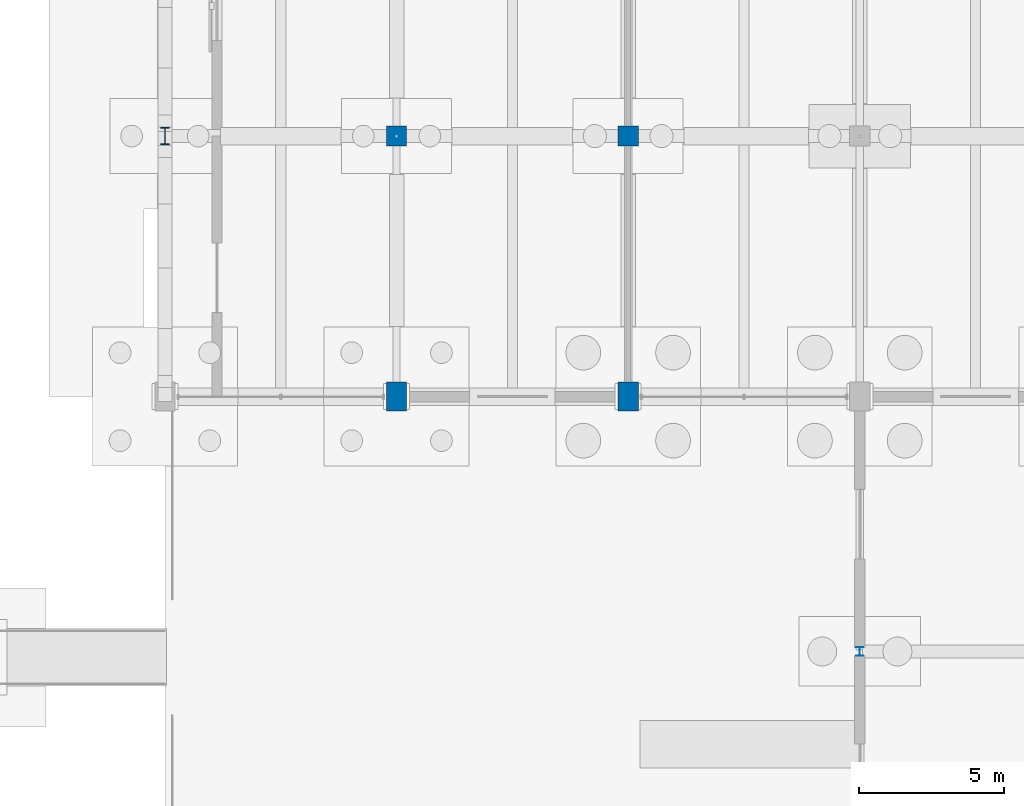
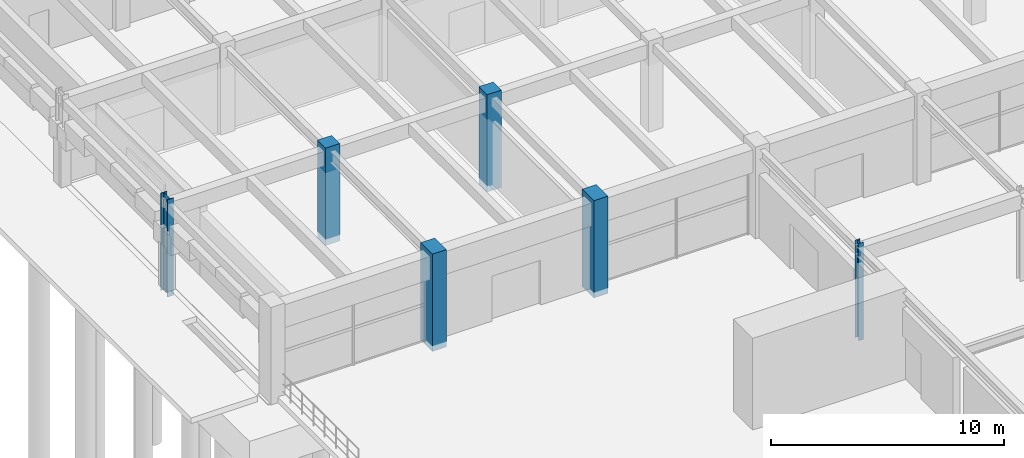
# One storey, part 14 of 147: 6 columns.
"""IFC4 building model written with IfcOpenShell, lengths in metres."""

from ifc_helpers import new_model, si_unit, direction, frame, origin, origin_2d, place, context, subcontext, project, spatial, rectangle, i_section, extrude, material, material_profile, profile_set, type_object, element, save


model = new_model("IFC4")

# Units and contexts
model_context = context("Model", 3, precision=1e-05, world=origin(), true_north=direction((0.0, 1.0)))
body_context = subcontext(model_context, "Body", "Model", "MODEL_VIEW")
ifc_project = project(units=[si_unit("LENGTHUNIT", "METRE"), si_unit("AREAUNIT", "SQUARE_METRE"), si_unit("VOLUMEUNIT", "CUBIC_METRE"), si_unit("PLANEANGLEUNIT", "RADIAN"), si_unit("MASSUNIT", "GRAM", prefix="KILO")], contexts=[model_context])

# Site, building, storey
site_placement = place(None, origin())
site = spatial("IfcSite", under=ifc_project, at=site_placement, CompositionType="ELEMENT")
building_placement = place(site_placement, origin())
building = spatial("IfcBuilding", under=site, at=building_placement, Name="Varnabhumi Central Station", CompositionType="ELEMENT")
storey_placement = place(building_placement, origin())
storey = spatial("IfcBuildingStorey", under=building, at=storey_placement, Name="L00", CompositionType="ELEMENT", Elevation=0.0)

# Columns
ifc_material_1 = material(Name="Structural steel E350", Category="steel")
ifc_material_profile_1 = material_profile(ifc_material_1, i_section(OverallWidth=0.25, OverallDepth=0.300048828125, WebThickness=0.009521484375, FlangeThickness=0.010498046875, FilletRadius=0.010986328125, at=origin_2d()), Name="Structural steel E350", Category="steel")
ifc_profile_set_1 = profile_set([ifc_material_profile_1], Name="Structural steel E350")
column_type_1 = type_object("IfcColumnType", Name="COL-GALLERY-ISHB300", PredefinedType="COLUMN", material=ifc_profile_set_1)
column_1_placement = place(storey_placement, frame((24.0, 71.199951171875, -0.300048828125), z_axis=(0.0, 0.0, 1.0), x_axis=(1.0, 0.0, 0.0)))
element("IfcColumn", 1, at=column_1_placement, inside=storey, type_object=column_type_1, Name="Gallery Column L00-4J", PredefinedType="COLUMN", context=body_context, shape_type="SweptSolid", body=[
    extrude(i_section(OverallWidth=0.25, OverallDepth=0.300048828125, WebThickness=0.009521484375, FlangeThickness=0.010498046875, FilletRadius=0.010986328125, at=origin_2d()), origin(), (0.0, 0.0, 1.0), 5.10009765625),
])
ifc_material_2 = material(Name="Concrete M40", Category="concrete")
ifc_material_profile_2 = material_profile(ifc_material_2, rectangle(XDim=0.699951171875, YDim=0.699951171875, at=origin_2d()), Name="Concrete M40", Category="concrete")
ifc_profile_set_2 = profile_set([ifc_material_profile_2], Name="Concrete M40")
column_type_2 = type_object("IfcColumnType", Name="COL-NORTH-700", PredefinedType="COLUMN", material=ifc_profile_set_2)
for number, where, z_axis, x_axis, name in (
    (2, (8.0, 89.0, -0.300048828125), (0.0, 0.0, 1.0), (1.0, 0.0, 0.0), "Column L00-2L"),
    (3, (16.0, 89.0, -0.300048828125), (0.0, 0.0, 1.0), (1.0, 0.0, 0.0), "Column L00-3L"),
):
    element("IfcColumn", number, at=place(storey_placement, frame(where, z_axis=z_axis, x_axis=x_axis)), inside=storey, type_object=column_type_2, Name=name, PredefinedType="COLUMN", context=body_context, shape_type="SweptSolid", body=[
        extrude(rectangle(XDim=0.699951171875, YDim=0.699951171875, at=origin_2d()), origin(), (0.0, 0.0, 1.0), 5.10009765625),
    ])
ifc_material_3 = material(Name="Concrete M50", Category="concrete")
ifc_material_profile_3 = material_profile(ifc_material_3, rectangle(XDim=0.699951171875, YDim=1.0, at=origin_2d()), Name="Concrete M50", Category="concrete")
ifc_profile_set_3 = profile_set([ifc_material_profile_3], Name="Concrete M50")
column_type_3 = type_object("IfcColumnType", Name="COL-SPINE-M50-1000x700", PredefinedType="COLUMN", material=ifc_profile_set_3)
for number, where, z_axis, x_axis, name in (
    (4, (8.0, 80.0, -0.300048828125), (0.0, 0.0, 1.0), (1.0, 0.0, 0.0), "Column L00-2K"),
    (5, (16.0, 80.0, -0.300048828125), (0.0, 0.0, 1.0), (1.0, 0.0, 0.0), "Column L00-3K"),
):
    element("IfcColumn", number, at=place(storey_placement, frame(where, z_axis=z_axis, x_axis=x_axis)), inside=storey, type_object=column_type_3, Name=name, PredefinedType="COLUMN", context=body_context, shape_type="SweptSolid", body=[
        extrude(rectangle(XDim=0.699951171875, YDim=1.0, at=origin_2d()), origin(), (0.0, 0.0, 1.0), 5.10009765625),
    ])
ifc_material_profile_4 = material_profile(ifc_material_1, i_section(OverallWidth=0.300048828125, OverallDepth=0.60009765625, WebThickness=0.015380859375, FlangeThickness=0.030029296875, FilletRadius=0.027099609375, at=origin_2d()), Name="Structural steel E350", Category="steel")
ifc_profile_set_4 = profile_set([ifc_material_profile_4], Name="Structural steel E350")
column_type_4 = type_object("IfcColumnType", Name="COL-STL-WPB600", PredefinedType="COLUMN", material=ifc_profile_set_4)
column_2_placement = place(storey_placement, frame((0.0, 89.0, -0.300048828125), z_axis=(0.0, 0.0, 1.0), x_axis=(1.0, 0.0, 0.0)))
element("IfcColumn", 6, at=column_2_placement, inside=storey, type_object=column_type_4, Name="Column L00-1L", PredefinedType="COLUMN", context=body_context, shape_type="SweptSolid", body=[
    extrude(i_section(OverallWidth=0.300048828125, OverallDepth=0.60009765625, WebThickness=0.015380859375, FlangeThickness=0.030029296875, FilletRadius=0.027099609375, at=origin_2d()), origin(), (0.0, 0.0, 1.0), 5.10009765625),
])

save(model, "model.ifc")
